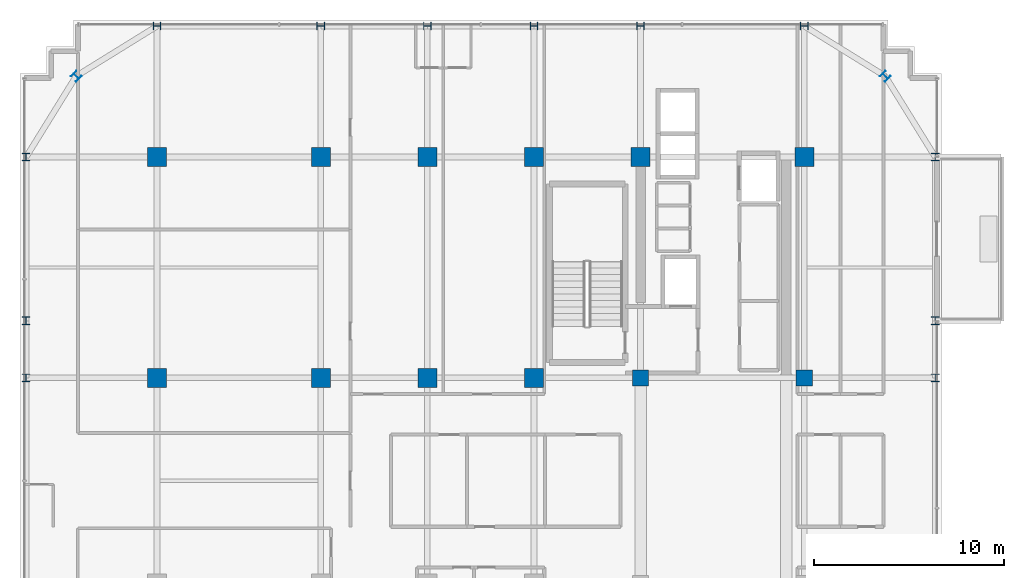
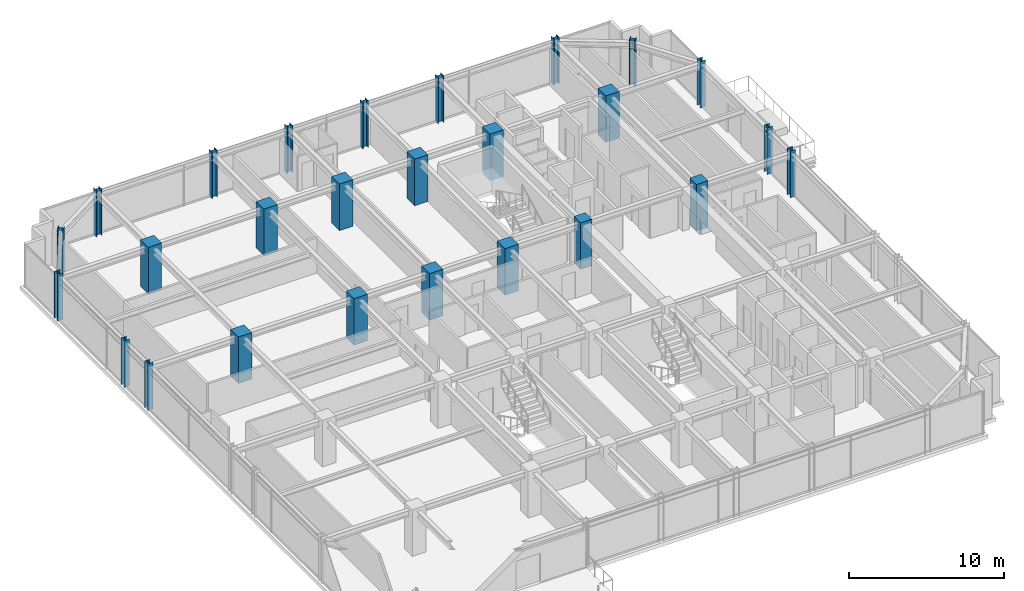
# One storey, part 2 of 36: 26 columns.
"""IFC4 building model written with IfcOpenShell, lengths in metres."""

from ifc_helpers import new_model, si_unit, direction, frame, origin, origin_2d, place, context, subcontext, project, spatial, rectangle, i_section, extrude, source, transform, mapped, material, material_profile, profile_set, type_object, element, save


model = new_model("IFC4")

# Units and contexts
model_context = context("Model", 3, precision=1e-05, world=origin(), true_north=direction((0.0, 1.0)))
body_context = subcontext(model_context, "Body", "Model", "MODEL_VIEW")
ifc_project = project(units=[si_unit("LENGTHUNIT", "METRE"), si_unit("AREAUNIT", "SQUARE_METRE"), si_unit("VOLUMEUNIT", "CUBIC_METRE"), si_unit("PLANEANGLEUNIT", "RADIAN"), si_unit("MASSUNIT", "GRAM", prefix="KILO")], contexts=[model_context])

# Site, building, storey
site_placement = place(None, origin())
site = spatial("IfcSite", under=ifc_project, at=site_placement, CompositionType="ELEMENT")
building_placement = place(site_placement, origin())
building = spatial("IfcBuilding", under=site, at=building_placement, Name="Nahalor Promenade Grand Hotel", CompositionType="ELEMENT")
storey_placement = place(building_placement, frame((0.0, 0.0, 223.39990234375)))
storey = spatial("IfcBuildingStorey", under=building, at=storey_placement, Name="L57", CompositionType="ELEMENT", Elevation=223.39990234375)

# Columns
ifc_material_1 = material(Name="Concrete B-60 (C50/60)", Category="concrete")
ifc_material_profile_1 = material_profile(ifc_material_1, rectangle(XDim=1.0, YDim=1.0, at=origin_2d()), Name="RC 1000x1000")
ifc_profile_set_1 = profile_set([ifc_material_profile_1], Name="Concrete B-60 (C50/60)")
column_type_1 = type_object("IfcColumnType", Name="Col-RC-1000", PredefinedType="COLUMN", material=ifc_profile_set_1)
shared_shape_1 = source(origin(), body_context, "Body", "SweptSolid", [
    extrude(rectangle(XDim=1.0, YDim=1.0, at=origin_2d()), origin(), (0.0, 0.0, 1.0), 3.655029296875),
])
for number, where, z_axis, x_axis, name in (
    (1, (-17.0, 5.39990234375, 0.0), (0.0, 0.0, 1.0), (1.0, 0.0, 0.0), "COL-L57-I02"),
    (2, (-17.0, 17.0, 0.0), (0.0, 0.0, 1.0), (1.0, 0.0, 0.0), "COL-L57-I03"),
    (3, (-8.39990234375, 5.39990234375, 0.0), (0.0, 0.0, 1.0), (1.0, 0.0, 0.0), "COL-L57-I12"),
    (4, (-8.39990234375, 17.0, 0.0), (0.0, 0.0, 1.0), (1.0, 0.0, 0.0), "COL-L57-I13"),
    (5, (-2.800048828125, 5.39990234375, 0.0), (0.0, 0.0, 1.0), (1.0, 0.0, 0.0), "COL-L57-I22"),
    (6, (-2.800048828125, 17.0, 0.0), (0.0, 0.0, 1.0), (1.0, 0.0, 0.0), "COL-L57-I23"),
    (7, (2.800048828125, 5.39990234375, 0.0), (0.0, 0.0, 1.0), (1.0, 0.0, 0.0), "COL-L57-I32"),
    (8, (2.800048828125, 17.0, 0.0), (0.0, 0.0, 1.0), (1.0, 0.0, 0.0), "COL-L57-I33"),
    (9, (8.39990234375, 17.0, 0.0), (0.0, 0.0, 1.0), (1.0, 0.0, 0.0), "COL-L57-I43"),
    (10, (17.0, 17.0, 0.0), (0.0, 0.0, 1.0), (1.0, 0.0, 0.0), "COL-L57-I53"),
):
    element("IfcColumn", number, at=place(storey_placement, frame(where, z_axis=z_axis, x_axis=x_axis)), inside=storey, type_object=column_type_1, Name=name, PredefinedType="COLUMN", context=body_context, shape_type="MappedRepresentation", body=[
        mapped(shared_shape_1, transform((0.0, 0.0, 0.0), scale=1.0)),
    ])
ifc_material_2 = material(Name="Concrete B-70 (C60/75)", Category="concrete")
ifc_material_profile_2 = material_profile(ifc_material_2, rectangle(XDim=0.85, YDim=0.85, at=origin_2d()), Name="RC 850x850")
ifc_profile_set_2 = profile_set([ifc_material_profile_2], Name="Concrete B-70 (C60/75)")
column_type_2 = type_object("IfcColumnType", Name="Col-Pilaster-850", PredefinedType="PILASTER", material=ifc_profile_set_2)
shared_shape_2 = source(origin(), body_context, "Body", "SweptSolid", [
    extrude(rectangle(XDim=0.85, YDim=0.85, at=origin_2d()), origin(), (0.0, 0.0, 1.0), 3.655029296875),
])
for number, where, z_axis, x_axis, name in (
    (11, (8.39990234375, 5.39990234375, 0.0), (0.0, 0.0, 1.0), (1.0, 0.0, 0.0), "COL-L57-I42"),
    (12, (17.0, 5.39990234375, 0.0), (0.0, 0.0, 1.0), (1.0, 0.0, 0.0), "COL-L57-I52"),
):
    element("IfcColumn", number, at=place(storey_placement, frame(where, z_axis=z_axis, x_axis=x_axis)), inside=storey, type_object=column_type_2, Name=name, PredefinedType="PILASTER", context=body_context, shape_type="MappedRepresentation", body=[
        mapped(shared_shape_2, transform((0.0, 0.0, 0.0), scale=1.0)),
    ])
ifc_material_3 = material(Name="Steel S355JR", Category="steel")
ifc_material_profile_3 = material_profile(ifc_material_3, i_section(OverallWidth=0.401, OverallDepth=0.406, WebThickness=0.0161, FlangeThickness=0.025, at=origin_2d()), Name="HD 400x314")
ifc_profile_set_3 = profile_set([ifc_material_profile_3], Name="Steel S355JR")
column_type_3 = type_object("IfcColumnType", Name="Col-Steel-HD314", PredefinedType="COLUMN", material=ifc_profile_set_3)
shared_shape_3 = source(origin(), body_context, "Body", "SweptSolid", [
    extrude(i_section(OverallWidth=0.401, OverallDepth=0.406, WebThickness=0.0161, FlangeThickness=0.025, at=origin_2d()), origin(), (0.0, 0.0, 1.0), 3.655029296875),
])
for number, where, z_axis, x_axis, name in (
    (13, (-23.8798828125, 5.39990234375, 0.0), (0.0, 0.0, 1.0), (1.0, 0.0, 0.0), "COL-L57-PW-W3"),
    (14, (23.8798828125, 5.39990234375, 0.0), (0.0, 0.0, 1.0), (1.0, 0.0, 0.0), "COL-L57-PW-E3"),
    (15, (-23.8798828125, 8.39990234375, 0.0), (0.0, 0.0, 1.0), (1.0, 0.0, 0.0), "COL-L57-PW-W4"),
    (16, (23.8798828125, 8.39990234375, 0.0), (0.0, 0.0, 1.0), (1.0, 0.0, 0.0), "COL-L57-PW-E4"),
    (17, (-23.8798828125, 17.0, 0.0), (0.0, 0.0, 1.0), (1.0, 0.0, 0.0), "COL-L57-PW-W5"),
    (18, (23.8798828125, 17.0, 0.0), (0.0, 0.0, 1.0), (1.0, 0.0, 0.0), "COL-L57-PW-E5"),
    (19, (-17.0, 23.8798828125, 0.0), (0.0, 0.0, 1.0), (0.0, 1.0, 0.0), "COL-L57-PN-N0"),
    (20, (-8.39990234375, 23.8798828125, 0.0), (0.0, 0.0, 1.0), (0.0, 1.0, 0.0), "COL-L57-PN-N1"),
    (21, (-2.800048828125, 23.8798828125, 0.0), (0.0, 0.0, 1.0), (0.0, 1.0, 0.0), "COL-L57-PN-N2"),
    (22, (2.800048828125, 23.8798828125, 0.0), (0.0, 0.0, 1.0), (0.0, 1.0, 0.0), "COL-L57-PN-N3"),
    (23, (8.39990234375, 23.8798828125, 0.0), (0.0, 0.0, 1.0), (0.0, 1.0, 0.0), "COL-L57-PN-N4"),
    (24, (17.0, 23.8798828125, 0.0), (0.0, 0.0, 1.0), (0.0, 1.0, 0.0), "COL-L57-PN-N5"),
    (25, (-21.25, 21.25, 0.0), (0.0, 0.0, 1.0), (0.707106781187, 0.707106781187, 0.0), "COL-L57-CRN-NW"),
    (26, (21.25, 21.25, 0.0), (0.0, 0.0, 1.0), (0.707106781187, 0.707106781187, 0.0), "COL-L57-CRN-NE"),
):
    element("IfcColumn", number, at=place(storey_placement, frame(where, z_axis=z_axis, x_axis=x_axis)), inside=storey, type_object=column_type_3, Name=name, PredefinedType="COLUMN", context=body_context, shape_type="MappedRepresentation", body=[
        mapped(shared_shape_3, transform((0.0, 0.0, 0.0), scale=1.0)),
    ])

save(model, "model.ifc")
